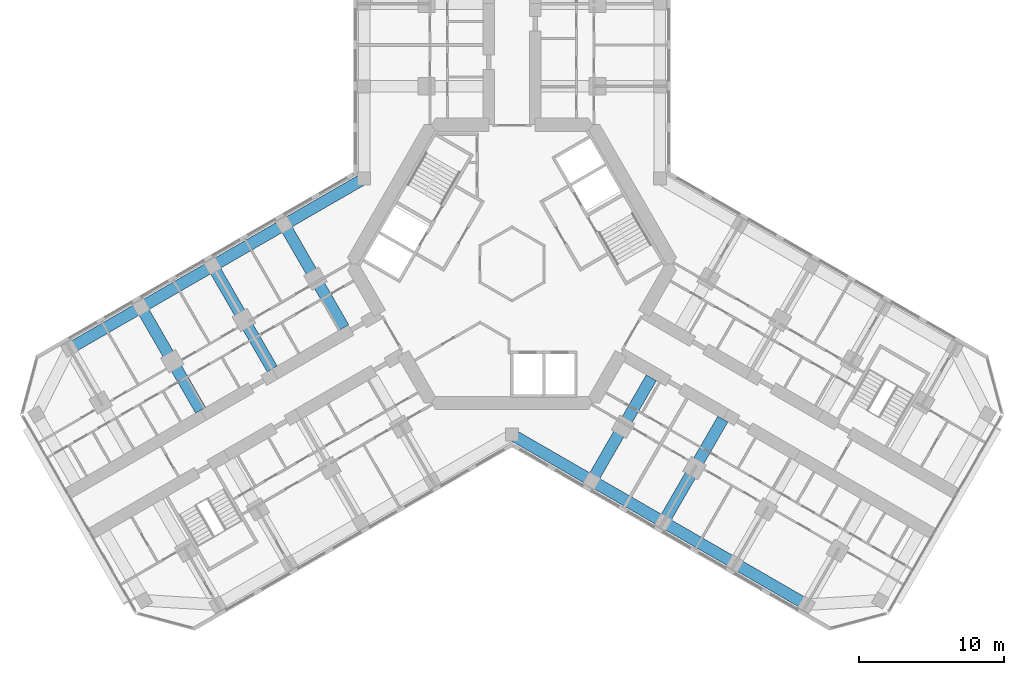
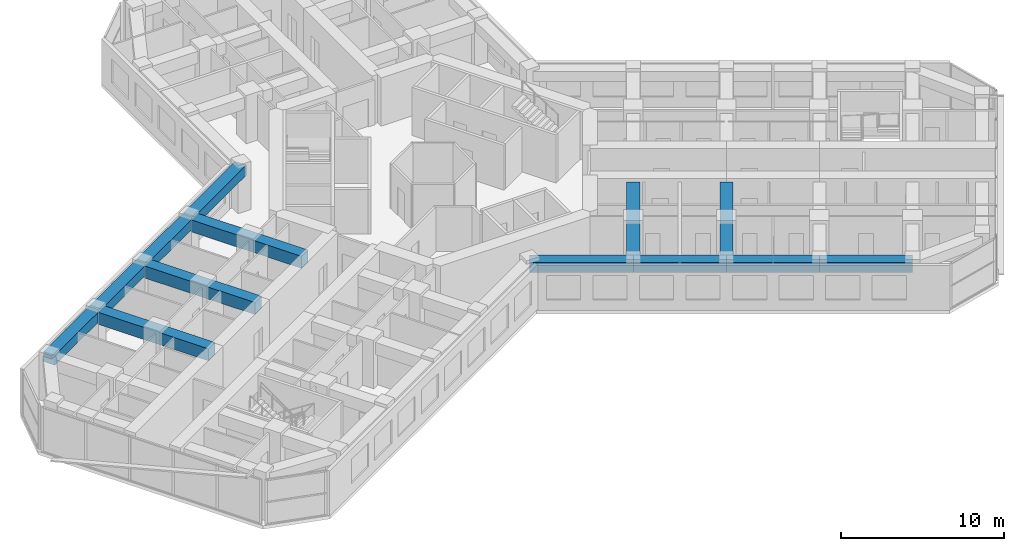
# One storey, part 4 of 19: 13 beams.
"""IFC4 building model written with IfcOpenShell, lengths in metres."""

from ifc_helpers import new_model, si_unit, direction, frame, origin, origin_2d, place, context, subcontext, project, spatial, rectangle, extrude, material, material_profile, profile_set, type_object, element, save


model = new_model("IFC4")

# Units and contexts
model_context = context("Model", 3, precision=1e-05, world=origin(), true_north=direction((0.0, 1.0)))
body_context = subcontext(model_context, "Body", "Model", "MODEL_VIEW")
ifc_project = project(units=[si_unit("LENGTHUNIT", "METRE"), si_unit("AREAUNIT", "SQUARE_METRE"), si_unit("VOLUMEUNIT", "CUBIC_METRE"), si_unit("PLANEANGLEUNIT", "RADIAN"), si_unit("MASSUNIT", "GRAM", prefix="KILO")], contexts=[model_context])

# Site, building, storey
site_placement = place(None, origin())
site = spatial("IfcSite", under=ifc_project, at=site_placement, CompositionType="ELEMENT")
building_placement = place(site_placement, origin())
building = spatial("IfcBuilding", under=site, at=building_placement, Name="Kosmar Iwan School Tower", CompositionType="ELEMENT")
storey_placement = place(building_placement, frame((0.0, 0.0, 161.60009765625)))
storey = spatial("IfcBuildingStorey", under=building, at=storey_placement, Name="L40", CompositionType="ELEMENT", Elevation=161.60009765625)

# Beams
ifc_material_1 = material(Name="Concrete C50/60", Category="concrete")
ifc_material_profile_1 = material_profile(ifc_material_1, rectangle(XDim=0.800048828125, YDim=0.75, at=origin_2d()), Name="RC 800x750")
ifc_profile_set_1 = profile_set([ifc_material_profile_1], Name="Concrete C50/60")
beam_type_1 = type_object("IfcBeamType", Name="RC edge beam 800x750", PredefinedType="BEAM", material=ifc_profile_set_1)
beam_1_placement = place(storey_placement, frame((-10.199951171875, 5.888916015625, 2.974853515625), z_axis=(-0.866030912664, -0.49999045822, 0.0), x_axis=(0.49999045822, -0.866030912664, 0.0)))
element("IfcBeam", 1, at=beam_1_placement, inside=storey, type_object=beam_type_1, Name="Edge beam BR1", PredefinedType="BEAM", context=body_context, shape_type="SweptSolid", body=[
    extrude(rectangle(XDim=0.800048828125, YDim=0.75, at=origin_2d()), origin(), (0.0, 0.0, 1.0), 6.36083984375),
])
beam_2_placement = place(storey_placement, frame((-15.708740234375, 2.70849609375, 2.974853515625), z_axis=(-0.866025820012, -0.499999279071, 0.0), x_axis=(0.499999279071, -0.866025820012, 0.0)))
element("IfcBeam", 2, at=beam_2_placement, inside=storey, type_object=beam_type_1, Name="Edge beam BR2", PredefinedType="BEAM", context=body_context, shape_type="SweptSolid", body=[
    extrude(rectangle(XDim=0.800048828125, YDim=0.75, at=origin_2d()), origin(), (0.0, 0.0, 1.0), 5.7001953125),
])
for number, where, z_axis, x_axis, name in (
    (3, (-20.645263671875, -0.1416015625, 2.974853515625), (-0.866033658841, -0.49998570155, 0.0), (0.49998570155, -0.866033658841, 0.0), "Edge beam BR3"),
    (4, (-25.58154296875, -2.991455078125, 2.974853515625), (-0.866015111908, -0.50001782563, 0.0), (0.50001782563, -0.866015111908, 0.0), "Edge beam BR4"),
):
    element("IfcBeam", number, at=place(storey_placement, frame(where, z_axis=z_axis, x_axis=x_axis)), inside=storey, type_object=beam_type_1, Name=name, PredefinedType="BEAM", context=body_context, shape_type="SweptSolid", body=[
        extrude(rectangle(XDim=0.800048828125, YDim=0.75, at=origin_2d()), origin(), (0.0, 0.0, 1.0), 5.699951171875),
    ])
beam_3_placement = place(storey_placement, frame((0.0, -11.77783203125, 2.974853515625), z_axis=(0.866014293216, -0.500019243575, 0.0), x_axis=(0.500019243575, 0.866014293216, 0.0)))
element("IfcBeam", 5, at=beam_3_placement, inside=storey, type_object=beam_type_1, Name="Edge beam CR1", PredefinedType="BEAM", context=body_context, shape_type="SweptSolid", body=[
    extrude(rectangle(XDim=0.800048828125, YDim=0.75, at=origin_2d()), origin(), (0.0, 0.0, 1.0), 6.361083984375),
])
beam_4_placement = place(storey_placement, frame((5.5087890625, -14.95849609375, 2.974853515625), z_axis=(0.866033658841, -0.49998570155, 0.0), x_axis=(0.49998570155, 0.866033658841, 0.0)))
element("IfcBeam", 6, at=beam_4_placement, inside=storey, type_object=beam_type_1, Name="Edge beam CR2", PredefinedType="BEAM", context=body_context, shape_type="SweptSolid", body=[
    extrude(rectangle(XDim=0.800048828125, YDim=0.75, at=origin_2d()), origin(), (0.0, 0.0, 1.0), 5.699951171875),
])
beam_5_placement = place(storey_placement, frame((10.445068359375, -17.808349609375, 2.974853515625), z_axis=(0.866025820012, -0.499999279071, 0.0), x_axis=(0.499999279071, 0.866025820012, 0.0)))
element("IfcBeam", 7, at=beam_5_placement, inside=storey, type_object=beam_type_1, Name="Edge beam CR3", PredefinedType="BEAM", context=body_context, shape_type="SweptSolid", body=[
    extrude(rectangle(XDim=0.800048828125, YDim=0.75, at=origin_2d()), origin(), (0.0, 0.0, 1.0), 5.7001953125),
])
beam_6_placement = place(storey_placement, frame((15.381591796875, -20.658447265625, 2.974853515625), z_axis=(0.866015111908, -0.50001782563, 0.0), x_axis=(0.50001782563, 0.866015111908, 0.0)))
element("IfcBeam", 8, at=beam_6_placement, inside=storey, type_object=beam_type_1, Name="Edge beam CR4", PredefinedType="BEAM", context=body_context, shape_type="SweptSolid", body=[
    extrude(rectangle(XDim=0.800048828125, YDim=0.75, at=origin_2d()), origin(), (0.0, 0.0, 1.0), 5.699951171875),
])
ifc_material_2 = material(Name="Concrete C50/60", Category="concrete")
ifc_material_profile_2 = material_profile(ifc_material_2, rectangle(XDim=0.800048828125, YDim=0.89990234375, at=origin_2d()), Name="RC 800x900")
ifc_profile_set_2 = profile_set([ifc_material_profile_2], Name="Concrete C50/60")
beam_type_2 = type_object("IfcBeamType", Name="RC transverse beam 800x900", PredefinedType="BEAM", material=ifc_profile_set_2)
for number, where, z_axis, x_axis, name in (
    (9, (-15.708740234375, 2.70849609375, 2.89990234375), (0.499978459874, -0.866037839625, 0.0), (0.866037839625, 0.499978459874, 0.0), "Transverse beam BR1"),
    (10, (-20.645263671875, -0.1416015625, 2.89990234375), (0.500013681986, -0.866017504342, 0.0), (0.866017504342, 0.500013681986, 0.0), "Transverse beam BR2"),
):
    element("IfcBeam", number, at=place(storey_placement, frame(where, z_axis=z_axis, x_axis=x_axis)), inside=storey, type_object=beam_type_2, Name=name, PredefinedType="BEAM", context=body_context, shape_type="SweptSolid", body=[
        extrude(rectangle(XDim=0.800048828125, YDim=0.89990234375, at=origin_2d()), origin(), (0.0, 0.0, 1.0), 8.199951171875),
    ])
for number, where, z_axis, x_axis, name in (
    (11, (-25.58154296875, -2.991455078125, 2.89990234375), (0.500000789788, -0.8660249478, 0.0), (0.8660249478, 0.500000789788, 0.0), "Transverse beam BR3"),
    (12, (5.5087890625, -14.95849609375, 2.89990234375), (0.500000789788, 0.8660249478, 0.0), (-0.8660249478, 0.500000789788, 0.0), "Transverse beam CR1"),
):
    element("IfcBeam", number, at=place(storey_placement, frame(where, z_axis=z_axis, x_axis=x_axis)), inside=storey, type_object=beam_type_2, Name=name, PredefinedType="BEAM", context=body_context, shape_type="SweptSolid", body=[
        extrude(rectangle(XDim=0.800048828125, YDim=0.89990234375, at=origin_2d()), origin(), (0.0, 0.0, 1.0), 8.2001953125),
    ])
beam_7_placement = place(storey_placement, frame((10.445068359375, -17.808349609375, 2.89990234375), z_axis=(0.500013681986, 0.866017504342, 0.0), x_axis=(-0.866017504342, 0.500013681986, 0.0)))
element("IfcBeam", 13, at=beam_7_placement, inside=storey, type_object=beam_type_2, Name="Transverse beam CR2", PredefinedType="BEAM", context=body_context, shape_type="SweptSolid", body=[
    extrude(rectangle(XDim=0.800048828125, YDim=0.89990234375, at=origin_2d()), origin(), (0.0, 0.0, 1.0), 8.199951171875),
])

save(model, "model.ifc")
